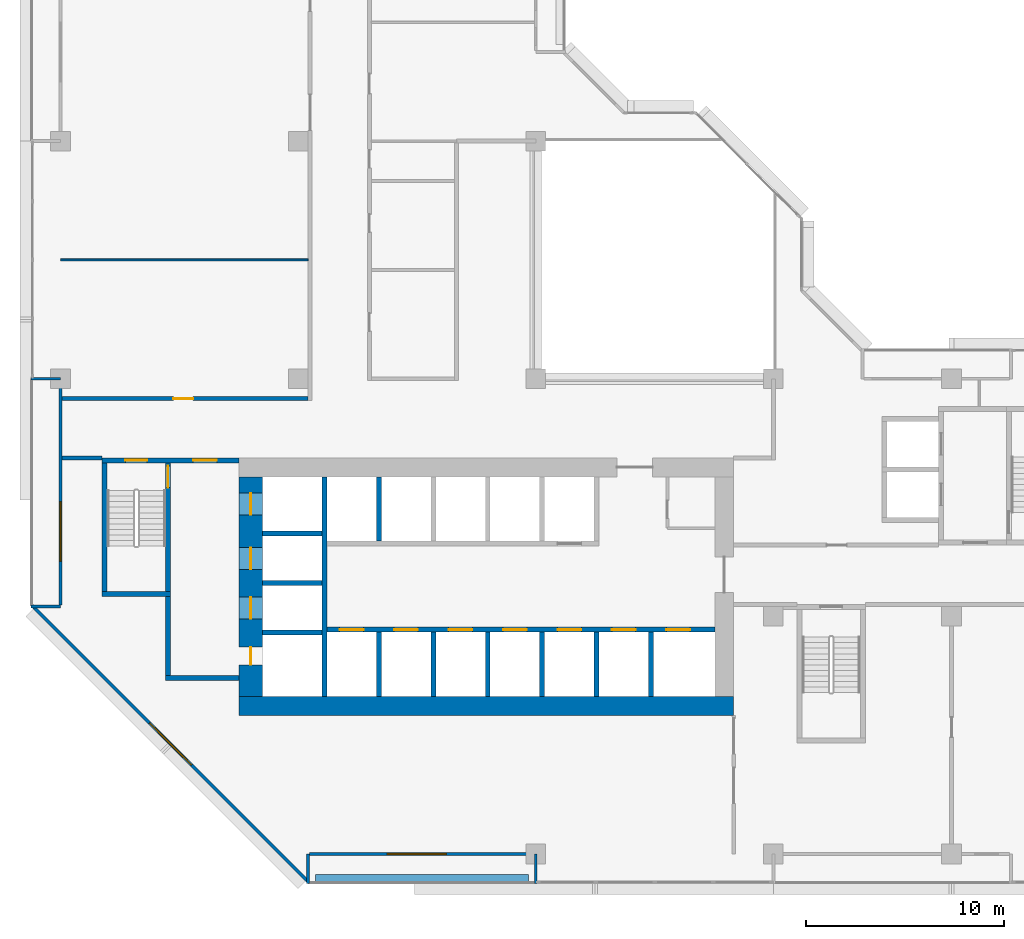
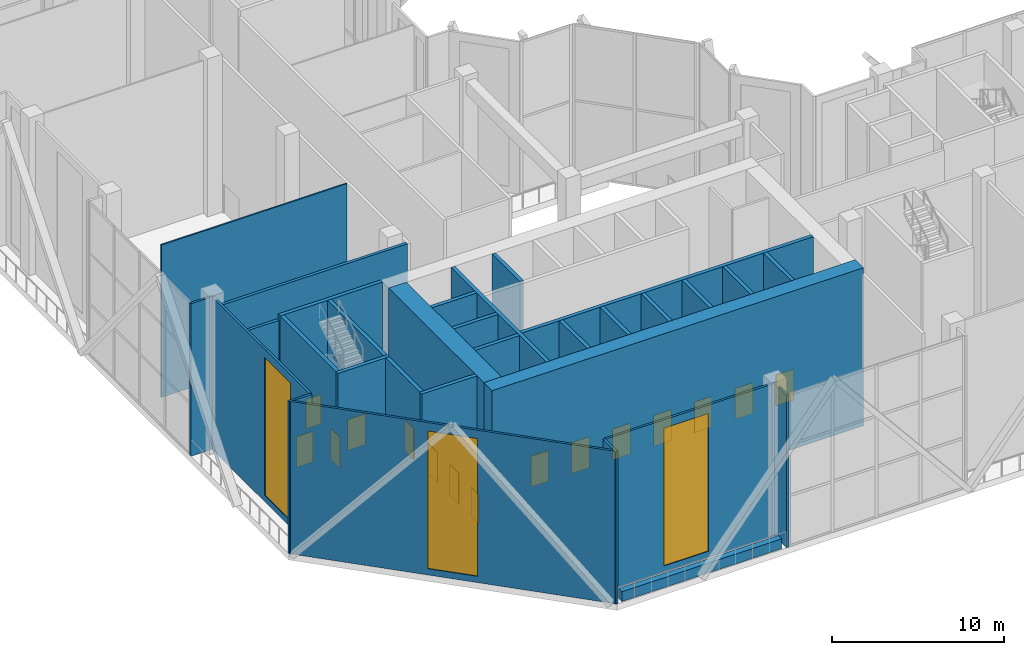
# One storey, part 12 of 21: 31 walls, 15 doors, 3 windows, 18 openings.
"""IFC4 building model written with IfcOpenShell, lengths in metres."""

from ifc_helpers import new_model, si_unit, direction, frame, frame_2d, origin, place, context, subcontext, project, spatial, rectangle, extrude, material, layer, layer_set, type_object, element, fill, save


model = new_model("IFC4")

# Units and contexts
model_context = context("Model", 3, precision=1e-05, world=origin(), true_north=direction((0.0, 1.0)))
body_context = subcontext(model_context, "Body", "Model", "MODEL_VIEW")
ifc_project = project(units=[si_unit("LENGTHUNIT", "METRE"), si_unit("AREAUNIT", "SQUARE_METRE"), si_unit("VOLUMEUNIT", "CUBIC_METRE"), si_unit("PLANEANGLEUNIT", "RADIAN"), si_unit("MASSUNIT", "GRAM", prefix="KILO")], contexts=[model_context])

# Site, building, storey
site_placement = place(None, origin())
site = spatial("IfcSite", under=ifc_project, at=site_placement, CompositionType="ELEMENT")
building_placement = place(site_placement, origin())
building = spatial("IfcBuilding", under=site, at=building_placement, Name="Chenar Terraces", CompositionType="ELEMENT")
storey_placement = place(building_placement, frame((0.0, 0.0, 146.14990234375)))
storey = spatial("IfcBuildingStorey", under=building, at=storey_placement, Name="L34", CompositionType="ELEMENT", Elevation=146.14990234375)

# Wall, openings, doors
ifc_material_1 = material(Name="Concrete C70/85", Category="concrete")
ifc_layer_1 = layer(ifc_material_1, 1.199951171875)
ifc_layer_set_1 = layer_set([ifc_layer_1], Name="Concrete C70/85")
wall_type_1 = type_object("IfcWallType", Name="Core wall 1200 Concrete C70/85", PredefinedType="SHEAR", material=ifc_layer_set_1)
wall_1_placement = place(storey_placement, frame((9.60009765625, 7.949951171875, 0.0), z_axis=(0.0, 0.0, 1.0), x_axis=(0.0, 1.0, 0.0)))
wall_1 = element("IfcWall", 1, at=wall_1_placement, inside=storey, type_object=wall_type_1, Name="Core wall W L34", PredefinedType="SHEAR", context=body_context, shape_type="SweptSolid", body=[
    extrude(rectangle(XDim=11.10009765625, YDim=1.199951171875, at=frame_2d((5.550048828125, 0.0))), origin(), (0.0, 0.0, 1.0), 11.25),
])
opening_1_placement = place(wall_1_placement, frame((3.925048828125, 0.0, 0.0)))
opening_1 = element("IfcOpeningElement", 2, at=opening_1_placement, cuts=wall_1, Name="Opening DL34-LD9", PredefinedType="OPENING", context=body_context, shape_type="SweptSolid", body=[
    extrude(rectangle(XDim=1.10009765625, YDim=2.199951171875, at=frame_2d((0.550048828125, 1.10009765625))), frame((0.0, 0.60986328125, 0.0), z_axis=(0.0, -1.0, 0.0), x_axis=(1.0, 0.0, 0.0)), (0.0, 0.0, 1.0), 1.219970703125),
])
opening_2_placement = place(wall_1_placement, frame((6.425048828125, 0.0, 0.0)))
opening_2 = element("IfcOpeningElement", 3, at=opening_2_placement, cuts=wall_1, Name="Opening DL34-LD10", PredefinedType="OPENING", context=body_context, shape_type="SweptSolid", body=[
    extrude(rectangle(XDim=1.10009765625, YDim=2.199951171875, at=frame_2d((0.550048828125, 1.10009765625))), frame((0.0, 0.60986328125, 0.0), z_axis=(0.0, -1.0, 0.0), x_axis=(1.0, 0.0, 0.0)), (0.0, 0.0, 1.0), 1.219970703125),
])
opening_3_placement = place(wall_1_placement, frame((9.175048828125, 0.0, 0.0)))
opening_3 = element("IfcOpeningElement", 4, at=opening_3_placement, cuts=wall_1, Name="Opening DL34-LD11", PredefinedType="OPENING", context=body_context, shape_type="SweptSolid", body=[
    extrude(rectangle(XDim=1.10009765625, YDim=2.199951171875, at=frame_2d((0.550048828125, 1.10009765625))), frame((0.0, 0.60986328125, 0.0), z_axis=(0.0, -1.0, 0.0), x_axis=(1.0, 0.0, 0.0)), (0.0, 0.0, 1.0), 1.219970703125),
])
opening_4_placement = place(wall_1_placement, frame((1.60009765625, 0.0, 0.0)))
opening_4 = element("IfcOpeningElement", 5, at=opening_4_placement, cuts=wall_1, Name="Opening DL34-C4", PredefinedType="OPENING", context=body_context, shape_type="SweptSolid", body=[
    extrude(rectangle(XDim=0.89990234375, YDim=2.10009765625, at=frame_2d((0.449951171875, 1.050048828125))), frame((0.0, 0.60986328125, 0.0), z_axis=(0.0, -1.0, 0.0), x_axis=(1.0, 0.0, 0.0)), (0.0, 0.0, 1.0), 1.219970703125),
])
ifc_material_2 = material(Name="Stainless steel", Category="steel")
door_type_1 = type_object("IfcDoorType", Name="Lift landing door 1100 x 2200 sliding", OperationType="DOUBLE_DOOR_SLIDING", PredefinedType="DOOR", material=ifc_material_2)
door_1_placement = place(opening_1_placement, origin())
door_1 = element("IfcDoor", 6, at=door_1_placement, inside=storey, type_object=door_type_1, Name="Landing door S1", OperationType="DOUBLE_DOOR_SLIDING", OverallHeight=2.199951171875, OverallWidth=1.10009765625, PredefinedType="DOOR", context=body_context, shape_type="SweptSolid", body=[
    extrude(rectangle(XDim=1.10009765625, YDim=2.199951171875, at=frame_2d((0.550048828125, 1.10009765625))), frame((0.0, 0.02490234375, 0.0), z_axis=(0.0, -1.0, 0.0), x_axis=(1.0, 0.0, 0.0)), (0.0, 0.0, 1.0), 0.050048828125),
])
fill(opening_1, door_1)
door_2_placement = place(opening_2_placement, origin())
door_2 = element("IfcDoor", 7, at=door_2_placement, inside=storey, type_object=door_type_1, Name="Landing door F1", OperationType="DOUBLE_DOOR_SLIDING", OverallHeight=2.199951171875, OverallWidth=1.10009765625, PredefinedType="DOOR", context=body_context, shape_type="SweptSolid", body=[
    extrude(rectangle(XDim=1.10009765625, YDim=2.199951171875, at=frame_2d((0.550048828125, 1.10009765625))), frame((0.0, 0.02490234375, 0.0), z_axis=(0.0, -1.0, 0.0), x_axis=(1.0, 0.0, 0.0)), (0.0, 0.0, 1.0), 0.050048828125),
])
fill(opening_2, door_2)
door_3_placement = place(opening_3_placement, origin())
door_3 = element("IfcDoor", 8, at=door_3_placement, inside=storey, type_object=door_type_1, Name="Landing door F2", OperationType="DOUBLE_DOOR_SLIDING", OverallHeight=2.199951171875, OverallWidth=1.10009765625, PredefinedType="DOOR", context=body_context, shape_type="SweptSolid", body=[
    extrude(rectangle(XDim=1.10009765625, YDim=2.199951171875, at=frame_2d((0.550048828125, 1.10009765625))), frame((0.0, 0.02490234375, 0.0), z_axis=(0.0, -1.0, 0.0), x_axis=(1.0, 0.0, 0.0)), (0.0, 0.0, 1.0), 0.050048828125),
])
fill(opening_3, door_3)
ifc_material_3 = material(Name="Steel-framed fire-resisting door leaf", Category="steel")
door_type_2 = type_object("IfcDoorType", Name="Riser fire door FD60 900 x 2100", OperationType="SINGLE_SWING_LEFT", PredefinedType="DOOR", material=ifc_material_3)
door_4_placement = place(opening_4_placement, frame((0.89990234375, 0.0, 0.0), z_axis=(0.0, 0.0, 1.0), x_axis=(-1.0, 0.0, 0.0)))
door_4 = element("IfcDoor", 9, at=door_4_placement, inside=storey, type_object=door_type_2, Name="Riser door DL34-C4", OperationType="SINGLE_SWING_LEFT", OverallHeight=2.10009765625, OverallWidth=0.89990234375, PredefinedType="DOOR", context=body_context, shape_type="SweptSolid", body=[
    extrude(rectangle(XDim=0.89990234375, YDim=2.10009765625, at=frame_2d((0.449951171875, 1.050048828125))), frame((0.0, 0.02490234375, 0.0), z_axis=(0.0, -1.0, 0.0), x_axis=(1.0, 0.0, 0.0)), (0.0, 0.0, 1.0), 0.050048828125),
])
fill(opening_4, door_4)

# Wall
ifc_material_4 = material(Name="Concrete C70/85", Category="concrete")
ifc_layer_2 = layer(ifc_material_4, 0.25)
ifc_layer_set_2 = layer_set([ifc_layer_2], Name="Concrete C70/85")
wall_type_2 = type_object("IfcWallType", Name="Core wall 250 Concrete C70/85", PredefinedType="SHEAR", material=ifc_layer_set_2)
wall_2_placement = place(storey_placement, frame((13.324951171875, 7.949951171875, 0.0), z_axis=(0.0, 0.0, 1.0), x_axis=(0.0, 1.0, 0.0)))
element("IfcWall", 10, at=wall_2_placement, inside=storey, type_object=wall_type_2, Name="Core wall WI L34", PredefinedType="SHEAR", context=body_context, shape_type="SweptSolid", body=[
    extrude(rectangle(XDim=11.10009765625, YDim=0.25, at=frame_2d((5.550048828125, 0.0))), origin(), (0.0, 0.0, 1.0), 11.25),
])

# Wall, openings, doors
wall_3_placement = place(storey_placement, frame((13.449951171875, 11.324951171875, 0.0), z_axis=(0.0, 0.0, 1.0), x_axis=(1.0, 0.0, 0.0)))
wall_3 = element("IfcWall", 11, at=wall_3_placement, inside=storey, type_object=wall_type_2, Name="Core wall SF L34", PredefinedType="SHEAR", context=body_context, shape_type="SweptSolid", body=[
    extrude(rectangle(XDim=19.60009765625, YDim=0.25, at=frame_2d((9.800048828125, 0.0))), origin(), (0.0, 0.0, 1.0), 11.25),
])
opening_5_placement = place(wall_3_placement, frame((0.64990234375, 0.0, 0.0)))
opening_5 = element("IfcOpeningElement", 12, at=opening_5_placement, cuts=wall_3, Name="Opening DL34-LD1", PredefinedType="OPENING", context=body_context, shape_type="SweptSolid", body=[
    extrude(rectangle(XDim=1.199951171875, YDim=2.199951171875, at=frame_2d((0.60009765625, 1.10009765625))), frame((0.0, 0.135009765625, 0.0), z_axis=(0.0, -1.0, 0.0), x_axis=(1.0, 0.0, 0.0)), (0.0, 0.0, 1.0), 0.27001953125),
])
opening_6_placement = place(wall_3_placement, frame((3.39990234375, 0.0, 0.0)))
opening_6 = element("IfcOpeningElement", 13, at=opening_6_placement, cuts=wall_3, Name="Opening DL34-LD2", PredefinedType="OPENING", context=body_context, shape_type="SweptSolid", body=[
    extrude(rectangle(XDim=1.199951171875, YDim=2.199951171875, at=frame_2d((0.60009765625, 1.10009765625))), frame((0.0, 0.135009765625, 0.0), z_axis=(0.0, -1.0, 0.0), x_axis=(1.0, 0.0, 0.0)), (0.0, 0.0, 1.0), 0.27001953125),
])
opening_7_placement = place(wall_3_placement, frame((6.14990234375, 0.0, 0.0)))
opening_7 = element("IfcOpeningElement", 14, at=opening_7_placement, cuts=wall_3, Name="Opening DL34-LD3", PredefinedType="OPENING", context=body_context, shape_type="SweptSolid", body=[
    extrude(rectangle(XDim=1.199951171875, YDim=2.199951171875, at=frame_2d((0.60009765625, 1.10009765625))), frame((0.0, 0.135009765625, 0.0), z_axis=(0.0, -1.0, 0.0), x_axis=(1.0, 0.0, 0.0)), (0.0, 0.0, 1.0), 0.27001953125),
])
opening_8_placement = place(wall_3_placement, frame((8.89990234375, 0.0, 0.0)))
opening_8 = element("IfcOpeningElement", 15, at=opening_8_placement, cuts=wall_3, Name="Opening DL34-LD4", PredefinedType="OPENING", context=body_context, shape_type="SweptSolid", body=[
    extrude(rectangle(XDim=1.199951171875, YDim=2.199951171875, at=frame_2d((0.60009765625, 1.10009765625))), frame((0.0, 0.135009765625, 0.0), z_axis=(0.0, -1.0, 0.0), x_axis=(1.0, 0.0, 0.0)), (0.0, 0.0, 1.0), 0.27001953125),
])
opening_9_placement = place(wall_3_placement, frame((11.64990234375, 0.0, 0.0)))
opening_9 = element("IfcOpeningElement", 16, at=opening_9_placement, cuts=wall_3, Name="Opening DL34-LD5", PredefinedType="OPENING", context=body_context, shape_type="SweptSolid", body=[
    extrude(rectangle(XDim=1.199951171875, YDim=2.199951171875, at=frame_2d((0.60009765625, 1.10009765625))), frame((0.0, 0.135009765625, 0.0), z_axis=(0.0, -1.0, 0.0), x_axis=(1.0, 0.0, 0.0)), (0.0, 0.0, 1.0), 0.27001953125),
])
opening_10_placement = place(wall_3_placement, frame((14.39990234375, 0.0, 0.0)))
opening_10 = element("IfcOpeningElement", 17, at=opening_10_placement, cuts=wall_3, Name="Opening DL34-LD6", PredefinedType="OPENING", context=body_context, shape_type="SweptSolid", body=[
    extrude(rectangle(XDim=1.199951171875, YDim=2.199951171875, at=frame_2d((0.60009765625, 1.10009765625))), frame((0.0, 0.135009765625, 0.0), z_axis=(0.0, -1.0, 0.0), x_axis=(1.0, 0.0, 0.0)), (0.0, 0.0, 1.0), 0.27001953125),
])
opening_11_placement = place(wall_3_placement, frame((17.14990234375, 0.0, 0.0)))
opening_11 = element("IfcOpeningElement", 18, at=opening_11_placement, cuts=wall_3, Name="Opening DL34-LD7", PredefinedType="OPENING", context=body_context, shape_type="SweptSolid", body=[
    extrude(rectangle(XDim=1.199951171875, YDim=2.199951171875, at=frame_2d((0.60009765625, 1.10009765625))), frame((0.0, 0.135009765625, 0.0), z_axis=(0.0, -1.0, 0.0), x_axis=(1.0, 0.0, 0.0)), (0.0, 0.0, 1.0), 0.27001953125),
])
ifc_material_5 = material(Name="Stainless steel", Category="steel")
door_type_3 = type_object("IfcDoorType", Name="Lift landing door 1200 x 2200 sliding", OperationType="DOUBLE_DOOR_SLIDING", PredefinedType="DOOR", material=ifc_material_5)
door_5_placement = place(opening_5_placement, origin())
door_5 = element("IfcDoor", 19, at=door_5_placement, inside=storey, type_object=door_type_3, Name="Landing door L1", OperationType="DOUBLE_DOOR_SLIDING", OverallHeight=2.199951171875, OverallWidth=1.199951171875, PredefinedType="DOOR", context=body_context, shape_type="SweptSolid", body=[
    extrude(rectangle(XDim=1.199951171875, YDim=2.199951171875, at=frame_2d((0.60009765625, 1.10009765625))), frame((0.0, 0.02490234375, 0.0), z_axis=(0.0, -1.0, 0.0), x_axis=(1.0, 0.0, 0.0)), (0.0, 0.0, 1.0), 0.050048828125),
])
fill(opening_5, door_5)
door_6_placement = place(opening_6_placement, origin())
door_6 = element("IfcDoor", 20, at=door_6_placement, inside=storey, type_object=door_type_3, Name="Landing door L2", OperationType="DOUBLE_DOOR_SLIDING", OverallHeight=2.199951171875, OverallWidth=1.199951171875, PredefinedType="DOOR", context=body_context, shape_type="SweptSolid", body=[
    extrude(rectangle(XDim=1.199951171875, YDim=2.199951171875, at=frame_2d((0.60009765625, 1.10009765625))), frame((0.0, 0.02490234375, 0.0), z_axis=(0.0, -1.0, 0.0), x_axis=(1.0, 0.0, 0.0)), (0.0, 0.0, 1.0), 0.050048828125),
])
fill(opening_6, door_6)
door_7_placement = place(opening_7_placement, origin())
door_7 = element("IfcDoor", 21, at=door_7_placement, inside=storey, type_object=door_type_3, Name="Landing door L3", OperationType="DOUBLE_DOOR_SLIDING", OverallHeight=2.199951171875, OverallWidth=1.199951171875, PredefinedType="DOOR", context=body_context, shape_type="SweptSolid", body=[
    extrude(rectangle(XDim=1.199951171875, YDim=2.199951171875, at=frame_2d((0.60009765625, 1.10009765625))), frame((0.0, 0.02490234375, 0.0), z_axis=(0.0, -1.0, 0.0), x_axis=(1.0, 0.0, 0.0)), (0.0, 0.0, 1.0), 0.050048828125),
])
fill(opening_7, door_7)
door_8_placement = place(opening_8_placement, origin())
door_8 = element("IfcDoor", 22, at=door_8_placement, inside=storey, type_object=door_type_3, Name="Landing door L4", OperationType="DOUBLE_DOOR_SLIDING", OverallHeight=2.199951171875, OverallWidth=1.199951171875, PredefinedType="DOOR", context=body_context, shape_type="SweptSolid", body=[
    extrude(rectangle(XDim=1.199951171875, YDim=2.199951171875, at=frame_2d((0.60009765625, 1.10009765625))), frame((0.0, 0.02490234375, 0.0), z_axis=(0.0, -1.0, 0.0), x_axis=(1.0, 0.0, 0.0)), (0.0, 0.0, 1.0), 0.050048828125),
])
fill(opening_8, door_8)
door_9_placement = place(opening_9_placement, origin())
door_9 = element("IfcDoor", 23, at=door_9_placement, inside=storey, type_object=door_type_3, Name="Landing door M1", OperationType="DOUBLE_DOOR_SLIDING", OverallHeight=2.199951171875, OverallWidth=1.199951171875, PredefinedType="DOOR", context=body_context, shape_type="SweptSolid", body=[
    extrude(rectangle(XDim=1.199951171875, YDim=2.199951171875, at=frame_2d((0.60009765625, 1.10009765625))), frame((0.0, 0.02490234375, 0.0), z_axis=(0.0, -1.0, 0.0), x_axis=(1.0, 0.0, 0.0)), (0.0, 0.0, 1.0), 0.050048828125),
])
fill(opening_9, door_9)
door_10_placement = place(opening_10_placement, origin())
door_10 = element("IfcDoor", 24, at=door_10_placement, inside=storey, type_object=door_type_3, Name="Landing door M2", OperationType="DOUBLE_DOOR_SLIDING", OverallHeight=2.199951171875, OverallWidth=1.199951171875, PredefinedType="DOOR", context=body_context, shape_type="SweptSolid", body=[
    extrude(rectangle(XDim=1.199951171875, YDim=2.199951171875, at=frame_2d((0.60009765625, 1.10009765625))), frame((0.0, 0.02490234375, 0.0), z_axis=(0.0, -1.0, 0.0), x_axis=(1.0, 0.0, 0.0)), (0.0, 0.0, 1.0), 0.050048828125),
])
fill(opening_10, door_10)
door_11_placement = place(opening_11_placement, origin())
door_11 = element("IfcDoor", 25, at=door_11_placement, inside=storey, type_object=door_type_3, Name="Landing door M3", OperationType="DOUBLE_DOOR_SLIDING", OverallHeight=2.199951171875, OverallWidth=1.199951171875, PredefinedType="DOOR", context=body_context, shape_type="SweptSolid", body=[
    extrude(rectangle(XDim=1.199951171875, YDim=2.199951171875, at=frame_2d((0.60009765625, 1.10009765625))), frame((0.0, 0.02490234375, 0.0), z_axis=(0.0, -1.0, 0.0), x_axis=(1.0, 0.0, 0.0)), (0.0, 0.0, 1.0), 0.050048828125),
])
fill(opening_11, door_11)

# Walls
for number, where, z_axis, x_axis, name in (
    (26, (10.199951171875, 11.175048828125, 0.0), (0.0, 0.0, 1.0), (1.0, 0.0, 0.0), "Core wall HW0 L34"),
    (27, (10.199951171875, 13.675048828125, 0.0), (0.0, 0.0, 1.0), (1.0, 0.0, 0.0), "Core wall HW1 L34"),
    (28, (10.199951171875, 16.175048828125, 0.0), (0.0, 0.0, 1.0), (1.0, 0.0, 0.0), "Core wall HW2 L34"),
):
    element("IfcWall", number, at=place(storey_placement, frame(where, z_axis=z_axis, x_axis=x_axis)), inside=storey, type_object=wall_type_2, Name=name, PredefinedType="SHEAR", context=body_context, shape_type="SweptSolid", body=[
        extrude(rectangle(XDim=3.0, YDim=0.25, at=frame_2d((1.5, 0.0))), origin(), (0.0, 0.0, 1.0), 11.25),
    ])
for number, where, z_axis, x_axis, name in (
    (29, (16.074951171875, 7.949951171875, 0.0), (0.0, 0.0, 1.0), (0.0, 1.0, 0.0), "Core wall SS0 L34"),
    (30, (18.824951171875, 7.949951171875, 0.0), (0.0, 0.0, 1.0), (0.0, 1.0, 0.0), "Core wall SS1 L34"),
    (31, (21.574951171875, 7.949951171875, 0.0), (0.0, 0.0, 1.0), (0.0, 1.0, 0.0), "Core wall SS2 L34"),
    (32, (24.324951171875, 7.949951171875, 0.0), (0.0, 0.0, 1.0), (0.0, 1.0, 0.0), "Core wall SS3 L34"),
    (33, (27.074951171875, 7.949951171875, 0.0), (0.0, 0.0, 1.0), (0.0, 1.0, 0.0), "Core wall SS4 L34"),
    (34, (29.824951171875, 7.949951171875, 0.0), (0.0, 0.0, 1.0), (0.0, 1.0, 0.0), "Core wall SS5 L34"),
    (35, (16.074951171875, 15.800048828125, 0.0), (0.0, 0.0, 1.0), (0.0, 1.0, 0.0), "Core wall NS0 L34"),
):
    element("IfcWall", number, at=place(storey_placement, frame(where, z_axis=z_axis, x_axis=x_axis)), inside=storey, type_object=wall_type_2, Name=name, PredefinedType="SHEAR", context=body_context, shape_type="SweptSolid", body=[
        extrude(rectangle(XDim=3.25, YDim=0.25, at=frame_2d((1.625, 0.0))), origin(), (0.0, 0.0, 1.0), 11.25),
    ])

# Wall, openings, doors
wall_4_placement = place(storey_placement, frame((2.10009765625, 19.875, 0.0), z_axis=(0.0, 0.0, 1.0), x_axis=(1.0, 0.0, 0.0)))
wall_4 = element("IfcWall", 36, at=wall_4_placement, inside=storey, type_object=wall_type_2, Name="Core wall A_N L34", PredefinedType="SHEAR", context=body_context, shape_type="SweptSolid", body=[
    extrude(rectangle(XDim=6.89990234375, YDim=0.25, at=frame_2d((3.449951171875, 0.0))), origin(), (0.0, 0.0, 1.0), 11.25),
])
opening_12_placement = place(wall_4_placement, frame((1.175048828125, 0.0, 0.0)))
opening_12 = element("IfcOpeningElement", 37, at=opening_12_placement, cuts=wall_4, Name="Opening DL34-C5", PredefinedType="OPENING", context=body_context, shape_type="SweptSolid", body=[
    extrude(rectangle(XDim=1.10009765625, YDim=2.199951171875, at=frame_2d((0.550048828125, 1.10009765625))), frame((0.0, 0.135009765625, 0.0), z_axis=(0.0, -1.0, 0.0), x_axis=(1.0, 0.0, 0.0)), (0.0, 0.0, 1.0), 0.27001953125),
])
opening_13_placement = place(wall_4_placement, frame((4.60009765625, 0.0, 0.0)))
opening_13 = element("IfcOpeningElement", 38, at=opening_13_placement, cuts=wall_4, Name="Opening DL34-C6", PredefinedType="OPENING", context=body_context, shape_type="SweptSolid", body=[
    extrude(rectangle(XDim=1.199951171875, YDim=2.199951171875, at=frame_2d((0.60009765625, 1.10009765625))), frame((0.0, 0.135009765625, 0.0), z_axis=(0.0, -1.0, 0.0), x_axis=(1.0, 0.0, 0.0)), (0.0, 0.0, 1.0), 0.27001953125),
])
ifc_material_6 = material(Name="Steel-framed fire-resisting door leaf", Category="steel")
door_type_4 = type_object("IfcDoorType", Name="Lobby fire door FD60 1200 x 2200", OperationType="SINGLE_SWING_LEFT", PredefinedType="DOOR", material=ifc_material_6)
door_12_placement = place(opening_13_placement, frame((1.199951171875, 0.0, 0.0), z_axis=(0.0, 0.0, 1.0), x_axis=(-1.0, 0.0, 0.0)))
door_12 = element("IfcDoor", 39, at=door_12_placement, inside=storey, type_object=door_type_4, Name="Core door DL34-C6", OperationType="SINGLE_SWING_LEFT", OverallHeight=2.199951171875, OverallWidth=1.199951171875, PredefinedType="DOOR", context=body_context, shape_type="SweptSolid", body=[
    extrude(rectangle(XDim=1.199951171875, YDim=2.199951171875, at=frame_2d((0.60009765625, 1.10009765625))), frame((0.0, 0.02490234375, 0.0), z_axis=(0.0, -1.0, 0.0), x_axis=(1.0, 0.0, 0.0)), (0.0, 0.0, 1.0), 0.050048828125),
])
fill(opening_13, door_12)
ifc_material_7 = material(Name="Steel-framed fire-resisting door leaf", Category="steel")
door_type_5 = type_object("IfcDoorType", Name="Stair fire door FD60 1100 x 2200", OperationType="SINGLE_SWING_LEFT", PredefinedType="DOOR", material=ifc_material_7)
door_13_placement = place(opening_12_placement, origin())
door_13 = element("IfcDoor", 40, at=door_13_placement, inside=storey, type_object=door_type_5, Name="Stair door DL34-C5", OperationType="SINGLE_SWING_LEFT", OverallHeight=2.199951171875, OverallWidth=1.10009765625, PredefinedType="DOOR", context=body_context, shape_type="SweptSolid", body=[
    extrude(rectangle(XDim=1.10009765625, YDim=2.199951171875, at=frame_2d((0.550048828125, 1.10009765625))), frame((0.0, 0.02490234375, 0.0), z_axis=(0.0, -1.0, 0.0), x_axis=(1.0, 0.0, 0.0)), (0.0, 0.0, 1.0), 0.050048828125),
])
fill(opening_12, door_13)

# Walls
wall_5_placement = place(storey_placement, frame((2.10009765625, 13.125, 0.0), z_axis=(0.0, 0.0, 1.0), x_axis=(1.0, 0.0, 0.0)))
element("IfcWall", 41, at=wall_5_placement, inside=storey, type_object=wall_type_2, Name="Core wall ST1_S L34", PredefinedType="SHEAR", context=body_context, shape_type="SweptSolid", body=[
    extrude(rectangle(XDim=3.449951171875, YDim=0.25, at=frame_2d((1.72509765625, 0.0))), origin(), (0.0, 0.0, 1.0), 11.25),
])
wall_6_placement = place(storey_placement, frame((2.22509765625, 13.25, 0.0), z_axis=(0.0, 0.0, 1.0), x_axis=(0.0, 1.0, 0.0)))
element("IfcWall", 42, at=wall_6_placement, inside=storey, type_object=wall_type_2, Name="Core wall ST1_W L34", PredefinedType="SHEAR", context=body_context, shape_type="SweptSolid", body=[
    extrude(rectangle(XDim=6.5, YDim=0.25, at=frame_2d((3.25, 0.0))), origin(), (0.0, 0.0, 1.0), 11.25),
])

# Wall, opening, door
wall_7_placement = place(storey_placement, frame((5.425048828125, 13.25, 0.0), z_axis=(0.0, 0.0, 1.0), x_axis=(0.0, 1.0, 0.0)))
wall_7 = element("IfcWall", 43, at=wall_7_placement, inside=storey, type_object=wall_type_2, Name="Core wall ST1_E L34", PredefinedType="SHEAR", context=body_context, shape_type="SweptSolid", body=[
    extrude(rectangle(XDim=6.5, YDim=0.25, at=frame_2d((3.25, 0.0))), origin(), (0.0, 0.0, 1.0), 11.25),
])
opening_14_placement = place(wall_7_placement, frame((5.25, 0.0, 0.0)))
opening_14 = element("IfcOpeningElement", 44, at=opening_14_placement, cuts=wall_7, Name="Opening DL34-C3", PredefinedType="OPENING", context=body_context, shape_type="SweptSolid", body=[
    extrude(rectangle(XDim=1.10009765625, YDim=2.199951171875, at=frame_2d((0.550048828125, 1.10009765625))), frame((0.0, 0.135009765625, 0.0), z_axis=(0.0, -1.0, 0.0), x_axis=(1.0, 0.0, 0.0)), (0.0, 0.0, 1.0), 0.27001953125),
])
door_14_placement = place(opening_14_placement, origin())
door_14 = element("IfcDoor", 45, at=door_14_placement, inside=storey, type_object=door_type_5, Name="Stair door DL34-C3", OperationType="SINGLE_SWING_RIGHT", OverallHeight=2.199951171875, OverallWidth=1.10009765625, PredefinedType="DOOR", context=body_context, shape_type="SweptSolid", body=[
    extrude(rectangle(XDim=1.10009765625, YDim=2.199951171875, at=frame_2d((0.550048828125, 1.10009765625))), frame((0.0, 0.02490234375, 0.0), z_axis=(0.0, -1.0, 0.0), x_axis=(1.0, 0.0, 0.0)), (0.0, 0.0, 1.0), 0.050048828125),
])
fill(opening_14, door_14)

# Walls
wall_8_placement = place(storey_placement, frame((5.300048828125, 8.875, 0.0), z_axis=(0.0, 0.0, 1.0), x_axis=(1.0, 0.0, 0.0)))
element("IfcWall", 46, at=wall_8_placement, inside=storey, type_object=wall_type_2, Name="Core wall FFL_S L34", PredefinedType="SHEAR", context=body_context, shape_type="SweptSolid", body=[
    extrude(rectangle(XDim=3.699951171875, YDim=0.25, at=frame_2d((1.85009765625, 0.0))), origin(), (0.0, 0.0, 1.0), 11.25),
])
wall_9_placement = place(storey_placement, frame((5.425048828125, 9.0, 0.0), z_axis=(0.0, 0.0, 1.0), x_axis=(0.0, 1.0, 0.0)))
element("IfcWall", 47, at=wall_9_placement, inside=storey, type_object=wall_type_2, Name="Core wall FFL_W L34", PredefinedType="SHEAR", context=body_context, shape_type="SweptSolid", body=[
    extrude(rectangle(XDim=4.0, YDim=0.25, at=frame_2d((2.0, 0.0))), origin(), (0.0, 0.0, 1.0), 11.25),
])
ifc_material_8 = material(Name="Concrete C70/85", Category="concrete")
ifc_layer_3 = layer(ifc_material_8, 0.949951171875)
ifc_layer_set_3 = layer_set([ifc_layer_3], Name="Concrete C70/85")
wall_type_3 = type_object("IfcWallType", Name="Core wall 950 Concrete C70/85", PredefinedType="SHEAR", material=ifc_layer_set_3)
wall_10_placement = place(storey_placement, frame((9.0, 7.47509765625, 0.0), z_axis=(0.0, 0.0, 1.0), x_axis=(1.0, 0.0, 0.0)))
element("IfcWall", 48, at=wall_10_placement, inside=storey, type_object=wall_type_3, Name="Core wall S L34", PredefinedType="SHEAR", context=body_context, shape_type="SweptSolid", body=[
    extrude(rectangle(XDim=25.0, YDim=0.949951171875, at=frame_2d((12.5, 0.0))), origin(), (0.0, 0.0, 1.0), 11.25),
])
ifc_material_9 = material(Name="Gypsum board on steel studs with fire boards", Category="steel")
ifc_layer_4 = layer(ifc_material_9, 0.199951171875)
ifc_layer_set_4 = layer_set([ifc_layer_4], Name="Gypsum board on steel studs with fire boards")
wall_type_4 = type_object("IfcWallType", Name="Corridor wall 200", PredefinedType="PARTITIONING", material=ifc_layer_set_4)
wall_11_placement = place(storey_placement, frame((0.073974609375, 20.0, 0.0), z_axis=(0.0, 0.0, 1.0), x_axis=(1.0, 0.0, 0.0)))
element("IfcWall", 49, at=wall_11_placement, inside=storey, type_object=wall_type_4, Name="Partition L34-003", PredefinedType="PARTITIONING", context=body_context, shape_type="SweptSolid", body=[
    extrude(rectangle(XDim=2.026123046875, YDim=0.199951171875, at=frame_2d((1.01318359375, 0.0))), origin(), (0.0, 0.0, 1.0), 10.85009765625),
])

# Wall, opening, door
wall_12_placement = place(storey_placement, frame((0.073974609375, 23.0, 0.0), z_axis=(0.0, 0.0, 1.0), x_axis=(1.0, 0.0, 0.0)))
wall_12 = element("IfcWall", 50, at=wall_12_placement, inside=storey, type_object=wall_type_4, Name="Partition L34-004", PredefinedType="PARTITIONING", context=body_context, shape_type="SweptSolid", body=[
    extrude(rectangle(XDim=12.426025390625, YDim=0.199951171875, at=frame_2d((6.212890625, 0.0))), origin(), (0.0, 0.0, 1.0), 10.85009765625),
])
opening_15_placement = place(wall_12_placement, frame((5.6259765625, 0.0, 0.0)))
opening_15 = element("IfcOpeningElement", 51, at=opening_15_placement, cuts=wall_12, Name="Opening DL34-11", PredefinedType="OPENING", context=body_context, shape_type="SweptSolid", body=[
    extrude(rectangle(XDim=1.0, YDim=2.10009765625, at=frame_2d((0.5, 1.050048828125))), frame((0.0, 0.10986328125, 0.0), z_axis=(0.0, -1.0, 0.0), x_axis=(1.0, 0.0, 0.0)), (0.0, 0.0, 1.0), 0.219970703125),
])
ifc_material_10 = material(Name="Steel-framed fire-resisting door leaf", Category="steel")
door_type_6 = type_object("IfcDoorType", Name="Fire door FD60 1000 x 2100", OperationType="SINGLE_SWING_LEFT", PredefinedType="DOOR", material=ifc_material_10)
door_15_placement = place(opening_15_placement, origin())
door_15 = element("IfcDoor", 52, at=door_15_placement, inside=storey, type_object=door_type_6, Name="Door DL34-11", OperationType="SINGLE_SWING_RIGHT", OverallHeight=2.10009765625, OverallWidth=1.0, PredefinedType="DOOR", context=body_context, shape_type="SweptSolid", body=[
    extrude(rectangle(XDim=1.0, YDim=2.10009765625, at=frame_2d((0.5, 1.050048828125))), frame((0.0, 0.02490234375, 0.0), z_axis=(0.0, -1.0, 0.0), x_axis=(1.0, 0.0, 0.0)), (0.0, 0.0, 1.0), 0.050048828125),
])
fill(opening_15, door_15)

# Wall, opening, window
ifc_material_11 = material(Name="Aluminium framed glazing", Category="aluminium")
ifc_layer_5 = layer(ifc_material_11, 0.14990234375)
ifc_layer_set_5 = layer_set([ifc_layer_5], Name="Aluminium framed glazing")
wall_type_5 = type_object("IfcWallType", Name="Glazed loggia back wall 150", PredefinedType="SOLIDWALL", material=ifc_layer_set_5)
wall_13_placement = place(storey_placement, frame((0.0, 23.925048828125, 0.0), z_axis=(0.0, 0.0, 1.0), x_axis=(0.0, -1.0, 0.0)))
wall_13 = element("IfcWall", 53, at=wall_13_placement, inside=storey, type_object=wall_type_5, Name="Glazed loggia back wall", PredefinedType="SOLIDWALL", context=body_context, shape_type="SweptSolid", body=[
    extrude(rectangle(XDim=11.35009765625, YDim=0.14990234375, at=frame_2d((5.675048828125, 0.0))), origin(), (0.0, 0.0, 1.0), 10.85009765625),
])
opening_16_placement = place(wall_13_placement, frame((6.137451171875, 0.0, 0.449951171875)))
opening_16 = element("IfcOpeningElement", 54, at=opening_16_placement, cuts=wall_13, Name="Opening W300x980", PredefinedType="OPENING", context=body_context, shape_type="SweptSolid", body=[
    extrude(rectangle(XDim=3.0, YDim=9.800048828125, at=frame_2d((1.5, 4.89990234375))), frame((0.0, 0.0849609375, 0.0), z_axis=(0.0, -1.0, 0.0), x_axis=(1.0, 0.0, 0.0)), (0.0, 0.0, 1.0), 0.169921875),
])
ifc_material_12 = material(Name="Low emissivity double glazing, aluminium frame", Category="aluminium")
window_type = type_object("IfcWindowType", Name="Fixed light 3000 x 9800", PartitioningType="SINGLE_PANEL", PredefinedType="WINDOW", material=ifc_material_12)
window_1_placement = place(opening_16_placement, origin())
window_1 = element("IfcWindow", 55, at=window_1_placement, inside=storey, type_object=window_type, Name="Window", OverallHeight=9.800048828125, OverallWidth=3.0, PartitioningType="SINGLE_PANEL", PredefinedType="WINDOW", context=body_context, shape_type="SweptSolid", body=[
    extrude(rectangle(XDim=3.0, YDim=9.800048828125, at=frame_2d((1.5, 4.89990234375))), frame((0.0, 0.030029296875, 0.0), z_axis=(0.0, -1.0, 0.0), x_axis=(1.0, 0.0, 0.0)), (0.0, 0.0, 1.0), 0.06005859375),
])
fill(opening_16, window_1)

wall_14_placement = place(storey_placement, frame((12.574951171875, 0.0, 0.0), z_axis=(0.0, 0.0, 1.0), x_axis=(1.0, 0.0, 0.0)))
wall_14 = element("IfcWall", 56, at=wall_14_placement, inside=storey, type_object=wall_type_5, Name="Glazed loggia back wall", PredefinedType="SOLIDWALL", context=body_context, shape_type="SweptSolid", body=[
    extrude(rectangle(XDim=11.35009765625, YDim=0.14990234375, at=frame_2d((5.675048828125, 0.0))), origin(), (0.0, 0.0, 1.0), 10.85009765625),
])
opening_17_placement = place(wall_14_placement, frame((3.91259765625, 0.0, 0.449951171875)))
opening_17 = element("IfcOpeningElement", 57, at=opening_17_placement, cuts=wall_14, Name="Opening W300x980", PredefinedType="OPENING", context=body_context, shape_type="SweptSolid", body=[
    extrude(rectangle(XDim=3.0, YDim=9.800048828125, at=frame_2d((1.5, 4.89990234375))), frame((0.0, 0.0849609375, 0.0), z_axis=(0.0, -1.0, 0.0), x_axis=(1.0, 0.0, 0.0)), (0.0, 0.0, 1.0), 0.169921875),
])
window_2_placement = place(opening_17_placement, origin())
window_2 = element("IfcWindow", 58, at=window_2_placement, inside=storey, type_object=window_type, Name="Window", OverallHeight=9.800048828125, OverallWidth=3.0, PartitioningType="SINGLE_PANEL", PredefinedType="WINDOW", context=body_context, shape_type="SweptSolid", body=[
    extrude(rectangle(XDim=3.0, YDim=9.800048828125, at=frame_2d((1.5, 4.89990234375))), frame((0.0, 0.030029296875, 0.0), z_axis=(0.0, -1.0, 0.0), x_axis=(1.0, 0.0, 0.0)), (0.0, 0.0, 1.0), 0.06005859375),
])
fill(opening_17, window_2)

# Walls
ifc_material_13 = material(Name="Gypsum board on steel studs", Category="steel")
ifc_layer_6 = layer(ifc_material_13, 0.10009765625)
ifc_layer_set_6 = layer_set([ifc_layer_6], Name="Gypsum board on steel studs")
wall_type_6 = type_object("IfcWallType", Name="Gypsum partition 100", PredefinedType="PARTITIONING", material=ifc_layer_set_6)
wall_15_placement = place(storey_placement, frame((0.0, 30.0, 0.0), z_axis=(0.0, 0.0, 1.0), x_axis=(1.0, 0.0, 0.0)))
element("IfcWall", 59, at=wall_15_placement, inside=storey, type_object=wall_type_6, Name="Partition L34-001", PredefinedType="PARTITIONING", context=body_context, shape_type="SweptSolid", body=[
    extrude(rectangle(XDim=12.5, YDim=0.10009765625, at=frame_2d((6.25, 0.0))), origin(), (0.0, 0.0, 1.0), 10.85009765625),
])
ifc_material_14 = material(Name="Terracotta cladding on insulated backing", Category="masonry")
ifc_layer_7 = layer(ifc_material_14, 0.14990234375)
ifc_layer_set_7 = layer_set([ifc_layer_7], Name="Terracotta cladding on insulated backing")
wall_type_7 = type_object("IfcWallType", Name="Loggia return wall 150", PredefinedType="SOLIDWALL", material=ifc_layer_set_7)
for number, where, z_axis, x_axis, name in (
    (60, (-1.5, 24.0, 0.0), (0.0, 0.0, 1.0), (1.0, 0.0, 0.0), "Loggia return wall"),
    (61, (-1.5, 12.5, 0.0), (0.0, 0.0, 1.0), (1.0, 0.0, 0.0), "Loggia return wall"),
    (62, (12.5, -1.5, 0.0), (0.0, 0.0, 1.0), (0.0, 1.0, 0.0), "Loggia return wall"),
    (63, (24.0, -1.5, 0.0), (0.0, 0.0, 1.0), (0.0, 1.0, 0.0), "Loggia return wall"),
):
    element("IfcWall", number, at=place(storey_placement, frame(where, z_axis=z_axis, x_axis=x_axis)), inside=storey, type_object=wall_type_7, Name=name, PredefinedType="SOLIDWALL", context=body_context, shape_type="SweptSolid", body=[
        extrude(rectangle(XDim=1.5, YDim=0.14990234375, at=frame_2d((0.75, 0.0))), origin(), (0.0, 0.0, 1.0), 10.85009765625),
    ])

# Wall, opening, window
ifc_material_15 = material(Name="Terracotta cladding on insulated backing", Category="masonry")
ifc_layer_8 = layer(ifc_material_15, 0.14990234375)
ifc_layer_set_8 = layer_set([ifc_layer_8], Name="Terracotta cladding on insulated backing")
wall_type_8 = type_object("IfcWallType", Name="Terracotta rainscreen wall 150", PredefinedType="SOLIDWALL", material=ifc_layer_set_8)
wall_16_placement = place(storey_placement, frame((-1.447021484375, 12.552978515625, 0.0), z_axis=(0.0, 0.0, 1.0), x_axis=(0.707106781187, -0.707106781187, 0.0)))
wall_16 = element("IfcWall", 64, at=wall_16_placement, inside=storey, type_object=wall_type_8, Name="Terracotta rainscreen wall", PredefinedType="SOLIDWALL", context=body_context, shape_type="SweptSolid", body=[
    extrude(rectangle(XDim=19.799072265625, YDim=0.14990234375, at=frame_2d((9.8994140625, 0.0))), origin(), (0.0, 0.0, 1.0), 10.85009765625),
])
opening_18_placement = place(wall_16_placement, frame((8.3994140625, 0.0, 0.449951171875)))
opening_18 = element("IfcOpeningElement", 65, at=opening_18_placement, cuts=wall_16, Name="Opening W300x980", PredefinedType="OPENING", context=body_context, shape_type="SweptSolid", body=[
    extrude(rectangle(XDim=3.0, YDim=9.800048828125, at=frame_2d((1.5, 4.89990234375))), frame((0.0, 0.0849609375, 0.0), z_axis=(0.0, -1.0, 0.0), x_axis=(1.0, 0.0, 0.0)), (0.0, 0.0, 1.0), 0.169921875),
])
window_3_placement = place(opening_18_placement, origin())
window_3 = element("IfcWindow", 66, at=window_3_placement, inside=storey, type_object=window_type, Name="Window", OverallHeight=9.800048828125, OverallWidth=3.0, PartitioningType="SINGLE_PANEL", PredefinedType="WINDOW", context=body_context, shape_type="SweptSolid", body=[
    extrude(rectangle(XDim=3.0, YDim=9.800048828125, at=frame_2d((1.5, 4.89990234375))), frame((0.0, 0.030029296875, 0.0), z_axis=(0.0, -1.0, 0.0), x_axis=(1.0, 0.0, 0.0)), (0.0, 0.0, 1.0), 0.06005859375),
])
fill(opening_18, window_3)

# Wall
ifc_material_16 = material(Name="GRP planter trough")
ifc_layer_9 = layer(ifc_material_16, 0.39990234375)
ifc_layer_set_9 = layer_set([ifc_layer_9], Name="GRP planter trough")
wall_type_9 = type_object("IfcWallType", Name="Vertical greenery planter 400", PredefinedType="SOLIDWALL", material=ifc_layer_set_9)
wall_17_placement = place(storey_placement, frame((12.875, -1.22900390625, 0.0), z_axis=(0.0, 0.0, 1.0), x_axis=(1.0, 0.0, 0.0)))
element("IfcWall", 67, at=wall_17_placement, inside=storey, type_object=wall_type_9, Name="Vertical greenery planter", PredefinedType="SOLIDWALL", context=body_context, shape_type="SweptSolid", body=[
    extrude(rectangle(XDim=10.75, YDim=0.39990234375, at=frame_2d((5.375, 0.0))), origin(), (0.0, 0.0, 1.0), 0.7001953125),
])

save(model, "model.ifc")
